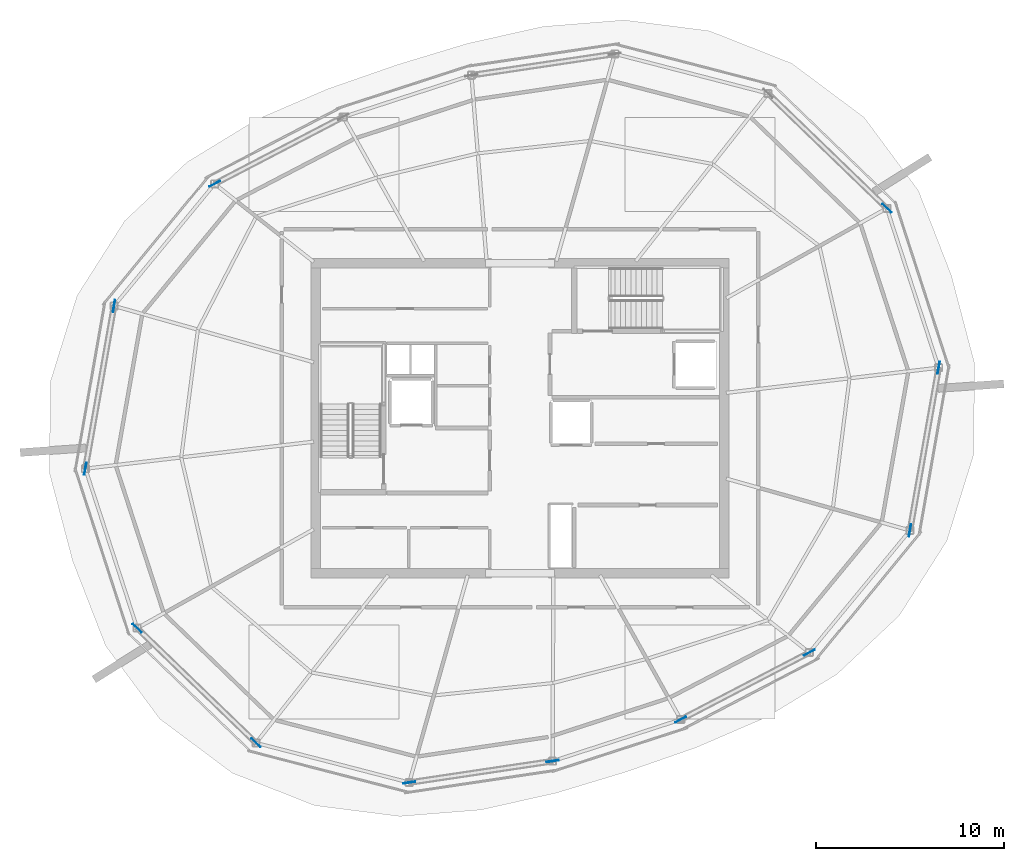
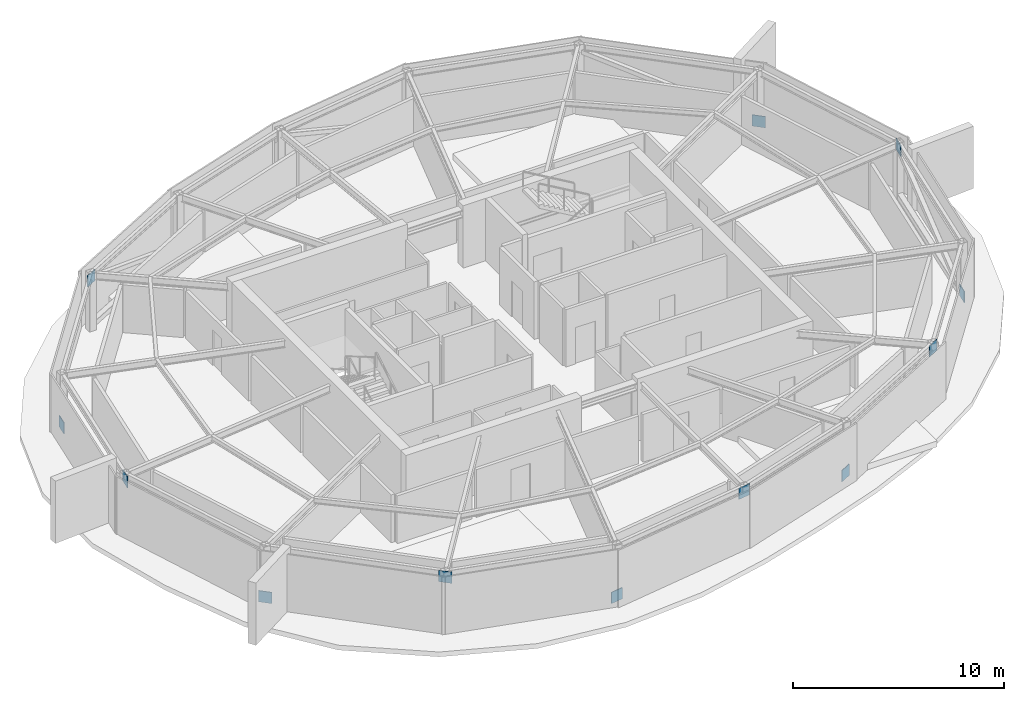
# One storey, part 6 of 10: 12 plates.
"""IFC4 building model written with IfcOpenShell, lengths in metres."""

import ifcopenshell
import ifcopenshell.guid

model = None  # the IFC model being written
_history = None  # IfcOwnerHistory: only IFC2X3 demands one
_inside = {}  # id of a spatial element -> (the spatial element, [elements in it])
_under = {}  # id of a project, library or spatial element -> (it, [spatial elements below it])
_declared = {}  # id of a project -> (the project, [libraries it declares])
_typed = {}  # id of a type object -> (the type object, [elements of that type])
_made_of = {}  # id of a material, layer set ... -> (it, [elements and type objects made of it])


def new_model(schema):
    """Start an empty IFC model of exactly this schema.

    Asked for "IFC4X3", IfcOpenShell would pick the latest addendum, in which some entities
    have other attributes; the version numbers below select the first issue.
    IFC2X3 requires an IfcOwnerHistory on every rooted entity: one is made here for all.
    """
    global model, _history
    if schema == "IFC4X3":
        model = ifcopenshell.file(schema_version=(4, 3, 0, 0))
    else:
        model = ifcopenshell.file(schema=schema)
    _inside.clear()
    _under.clear()
    _declared.clear()
    _typed.clear()
    _made_of.clear()
    _history = None
    if model.schema == "IFC2X3":
        org = make("IfcOrganization", Name="unknown")
        user = make(
            "IfcPersonAndOrganization",
            ThePerson=make("IfcPerson", FamilyName="unknown"),
            TheOrganization=org,
        )
        app = make(
            "IfcApplication",
            ApplicationDeveloper=org,
            Version="unknown",
            ApplicationFullName="unknown",
            ApplicationIdentifier="unknown",
        )
        _history = make(
            "IfcOwnerHistory",
            OwningUser=user,
            OwningApplication=app,
            ChangeAction="ADDED",
            CreationDate=0,
        )
    return model


def make(cls, **values):
    """One entity of the class cls with the attributes given. An attribute that is None is left unset."""
    return model.create_entity(
        cls, **{name: value for name, value in values.items() if value is not None}
    )


def rooted(cls, **values):
    """An entity with a GlobalId (a new one), such as an element, a storey or a relation."""
    return make(cls, GlobalId=ifcopenshell.guid.new(), OwnerHistory=_history, **values)


def si_unit(unit_type, name, prefix=None):
    """IfcSIUnit, for example si_unit("LENGTHUNIT", "METRE", prefix="MILLI")."""
    return make("IfcSIUnit", UnitType=unit_type, Prefix=prefix, Name=name)


def assignment(units):
    """IfcUnitAssignment: the units of a project."""
    return None if units is None else make("IfcUnitAssignment", Units=units)


def point(xyz):
    """IfcCartesianPoint."""
    return None if xyz is None else make("IfcCartesianPoint", Coordinates=xyz)


def direction(xyz):
    """IfcDirection."""
    return None if xyz is None else make("IfcDirection", DirectionRatios=xyz)


def frame(location, z_axis=None, x_axis=None):
    """IfcAxis2Placement3D, a coordinate frame: its origin and axes. An axis left out is left unset."""
    return make(
        "IfcAxis2Placement3D",
        Location=point(location),
        Axis=direction(z_axis),
        RefDirection=direction(x_axis),
    )


def frame_2d(location, x_axis=None):
    """IfcAxis2Placement2D, a coordinate frame in the plane: its origin and x axis."""
    return make(
        "IfcAxis2Placement2D", Location=point(location), RefDirection=direction(x_axis)
    )


def origin():
    """The frame at (0, 0, 0) with its axes left unset."""
    return frame((0.0, 0.0, 0.0))


def origin_2d():
    """The frame at (0, 0) in the plane with its x axis left unset."""
    return frame_2d((0.0, 0.0))


def place(relative_to, where):
    """IfcLocalPlacement: puts the frame where relative to a parent placement (None: the world)."""
    return make(
        "IfcLocalPlacement", PlacementRelTo=relative_to, RelativePlacement=where
    )


def context(
    kind, dimensions, precision=None, world=None, true_north=None, identifier=None
):
    """IfcGeometricRepresentationContext, for example the 3D "Model" context."""
    return make(
        "IfcGeometricRepresentationContext",
        ContextIdentifier=identifier,
        ContextType=kind,
        CoordinateSpaceDimension=dimensions,
        Precision=precision,
        WorldCoordinateSystem=world,
        TrueNorth=true_north,
    )


def subcontext(parent, identifier, kind, view, scale=None):
    """IfcGeometricRepresentationSubContext, for example "Body" below "Model"."""
    return make(
        "IfcGeometricRepresentationSubContext",
        ContextIdentifier=identifier,
        ContextType=kind,
        ParentContext=parent,
        TargetScale=scale,
        TargetView=view,
    )


def project(units=None, contexts=None):
    """IfcProject with its units and contexts."""
    return rooted(
        "IfcProject",
        Name="project",
        RepresentationContexts=contexts,
        UnitsInContext=assignment(units),
    )


def spatial(cls, under=None, at=None, **own):
    """A site, building, storey or space (cls), placed at a placement, below another one or the project."""
    s = rooted(cls, ObjectPlacement=at, **own)
    if under is not None:
        _under.setdefault(under.id(), (under, []))[1].append(s)
    return s


def profile(cls, at=None, kind="AREA", **sizes):
    """A parametric profile (cls). Its sizes go by their IFC names, for example OverallWidth=200.0."""
    return make(cls, ProfileType=kind, Position=at, **sizes)


def rectangle(**sizes):
    """IfcRectangleProfileDef."""
    return profile("IfcRectangleProfileDef", **sizes)


def extrude(swept, where, along, depth):
    """IfcExtrudedAreaSolid: the profile swept, set in the frame where, extruded along a direction by depth."""
    return make(
        "IfcExtrudedAreaSolid",
        SweptArea=swept,
        Position=where,
        ExtrudedDirection=direction(along),
        Depth=depth,
    )


def shape(context_of_items, identifier, shape_type, items):
    """IfcShapeRepresentation: the items that make up one representation, for example the "Body"."""
    return make(
        "IfcShapeRepresentation",
        ContextOfItems=context_of_items,
        RepresentationIdentifier=identifier,
        RepresentationType=shape_type,
        Items=items,
    )


def material(Name=None, Category=None):
    """IfcMaterial."""
    return make("IfcMaterial", Name=Name, Category=Category)


def layer(
    of_material, thickness, ventilated=None, Name=None, Category=None, Priority=None
):
    """IfcMaterialLayer: one layer of a wall or slab, of a material (None: an air gap)."""
    return make(
        "IfcMaterialLayer",
        Material=of_material,
        LayerThickness=thickness,
        IsVentilated=ventilated,
        Name=Name,
        Category=Category,
        Priority=Priority,
    )


def layer_set(layers, Name=None):
    """IfcMaterialLayerSet."""
    return make("IfcMaterialLayerSet", MaterialLayers=layers, LayerSetName=Name)


def made_of(thing, what):
    """Note that an element or type object is made of a material, layer set ...; save() writes the relation."""
    if what is not None:
        _made_of.setdefault(what.id(), (what, []))[1].append(thing)
    return thing


def type_object(cls, material=None, **own):
    """A type object (cls), such as IfcWallType, which elements share."""
    return made_of(rooted(cls, **own), material)


def element(
    cls,
    number,
    at=None,
    inside=None,
    cuts=None,
    type_object=None,
    material=None,
    context=None,
    identifier="Body",
    shape_type=None,
    held_by="IfcProductDefinitionShape",
    body=None,
    shapes=None,
    **own,
):
    """One element of the class cls, such as IfcWall. Its Tag is "e" and its number.

    at: its placement. inside: the storey or other place that contains it. cuts: it is an
    opening in that element (IfcRelVoidsElement). A single representation is given by context,
    identifier, shape_type and body (its items); several are given by shapes. held_by: the class
    of the entity that holds the representations. save() writes the other relations.
    """
    e = rooted(cls, Tag="e%d" % number, ObjectPlacement=at, **own)
    if body is not None:
        shapes = [shape(context, identifier, shape_type, body)]
    if shapes is not None:
        e.Representation = make(held_by, Representations=shapes)
    if inside is not None:
        _inside.setdefault(inside.id(), (inside, []))[1].append(e)
    if cuts is not None:
        rooted(
            "IfcRelVoidsElement", RelatingBuildingElement=cuts, RelatedOpeningElement=e
        )
    if type_object is not None:
        _typed.setdefault(type_object.id(), (type_object, []))[1].append(e)
    return made_of(e, material)


def aggregate(whole, parts):
    """IfcRelAggregates: a whole, such as a stair, and the parts it consists of."""
    return rooted("IfcRelAggregates", RelatingObject=whole, RelatedObjects=parts)


def save(model, path):
    """Write the relations noted so far, then the file.

    IfcRelAggregates (storeys below a building ...), IfcRelContainedInSpatialStructure (elements
    in a storey), IfcRelDefinesByType, IfcRelAssociatesMaterial and IfcRelDeclares: one each for
    every whole, place, type object, material and project.
    """
    for whole, parts in _under.values():
        aggregate(whole, parts)
    for where, things in _inside.values():
        rooted(
            "IfcRelContainedInSpatialStructure",
            RelatedElements=things,
            RelatingStructure=where,
        )
    for kind, things in _typed.values():
        rooted("IfcRelDefinesByType", RelatedObjects=things, RelatingType=kind)
    for what, things in _made_of.values():
        rooted("IfcRelAssociatesMaterial", RelatedObjects=things, RelatingMaterial=what)
    for by, libraries in _declared.values():
        rooted("IfcRelDeclares", RelatingContext=by, RelatedDefinitions=libraries)
    model.write(path)


model = new_model("IFC4")

# Units and contexts
model_context = context("Model", 3, precision=1e-05, world=origin(), true_north=direction((0.0, 1.0)))
body_context = subcontext(model_context, "Body", "Model", "MODEL_VIEW")
ifc_project = project(units=[si_unit("LENGTHUNIT", "METRE"), si_unit("AREAUNIT", "SQUARE_METRE"), si_unit("VOLUMEUNIT", "CUBIC_METRE"), si_unit("PLANEANGLEUNIT", "RADIAN"), si_unit("MASSUNIT", "GRAM", prefix="KILO")], contexts=[model_context])

# Site, building, storey
site_placement = place(None, origin())
site = spatial("IfcSite", under=ifc_project, at=site_placement, CompositionType="ELEMENT")
building_placement = place(site_placement, origin())
building = spatial("IfcBuilding", under=site, at=building_placement, Name="Kazma Halo Residences", CompositionType="ELEMENT")
storey_placement = place(building_placement, frame((0.0, 0.0, 356.0)))
storey = spatial("IfcBuildingStorey", under=building, at=storey_placement, Name="L89", CompositionType="ELEMENT", Elevation=356.0)

# Plates
ifc_material = material(Name="Steel S355", Category="steel")
ifc_layer = layer(ifc_material, 0.0400390625)
ifc_layer_set = layer_set([ifc_layer], Name="Steel S355")
plate_type = type_object("IfcPlateType", Name="PLT-GUSSET-40", PredefinedType="SHEET", material=ifc_layer_set)
for number, where, z_axis, x_axis, name in (
    (1, (67.940673828125, 53.167236328125, -0.044921875), (0.0, 0.0, 1.0), (-0.719342064482, 0.694656025863, 0.0), "L89 crown brace lower gusset 01"),
    (2, (32.184814453125, 54.467529296875, 2.614990234375), (0.0, 0.0, 1.0), (-0.886949727325, -0.461865977529, 0.0), "L89 crown brace upper gusset 05"),
    (3, (26.830078125, 47.970458984375, -0.044921875), (0.0, 0.0, 1.0), (-0.173656186938, -0.984806340728, 0.0), "L89 crown brace lower gusset 07"),
    (4, (25.3037109375, 39.313720703125, 2.614990234375), (0.0, 0.0, 1.0), (-0.173656186938, -0.984806340728, 0.0), "L89 crown brace upper gusset 07"),
    (5, (28.059326171875, 30.832763671875, -0.044921875), (0.0, 0.0, 1.0), (0.719342064482, -0.694656025863, 0.0), "L89 crown brace lower gusset 09"),
    (6, (34.382568359375, 24.726318359375, 2.614990234375), (0.0, 0.0, 1.0), (0.719342064482, -0.694656025863, 0.0), "L89 crown brace upper gusset 09"),
    (7, (42.53369140625, 22.61767578125, -0.044921875), (0.0, 0.0, 1.0), (0.98903421845, 0.147686542161, 0.0), "L89 crown brace lower gusset 11"),
    (8, (50.1591796875, 23.75634765625, 2.614990234375), (0.0, 0.0, 1.0), (0.98903421845, 0.147686542161, 0.0), "L89 crown brace upper gusset 11"),
    (9, (56.9765625, 25.97119140625, -0.044921875), (0.0, 0.0, 1.0), (0.886949727325, 0.461865977529, 0.0), "L89 crown brace lower gusset 13"),
    (10, (63.815185546875, 29.532470703125, 2.614990234375), (0.0, 0.0, 1.0), (0.886949727325, 0.461865977529, 0.0), "L89 crown brace upper gusset 13"),
    (11, (69.169921875, 36.029541015625, -0.044921875), (0.0, 0.0, 1.0), (0.173656186938, 0.984806340728, 0.0), "L89 crown brace lower gusset 15"),
    (12, (70.6962890625, 44.686279296875, 2.614990234375), (0.0, 0.0, 1.0), (0.173656186938, 0.984806340728, 0.0), "L89 crown brace upper gusset 15"),
):
    element("IfcPlate", number, at=place(storey_placement, frame(where, z_axis=z_axis, x_axis=x_axis)), inside=storey, type_object=plate_type, Name=name, PredefinedType="SHEET", context=body_context, shape_type="SweptSolid", body=[
        extrude(rectangle(XDim=0.64990234375, YDim=0.0400390625, at=origin_2d()), origin(), (0.0, 0.0, 1.0), 0.64990234375),
    ])

save(model, "model.ifc")
